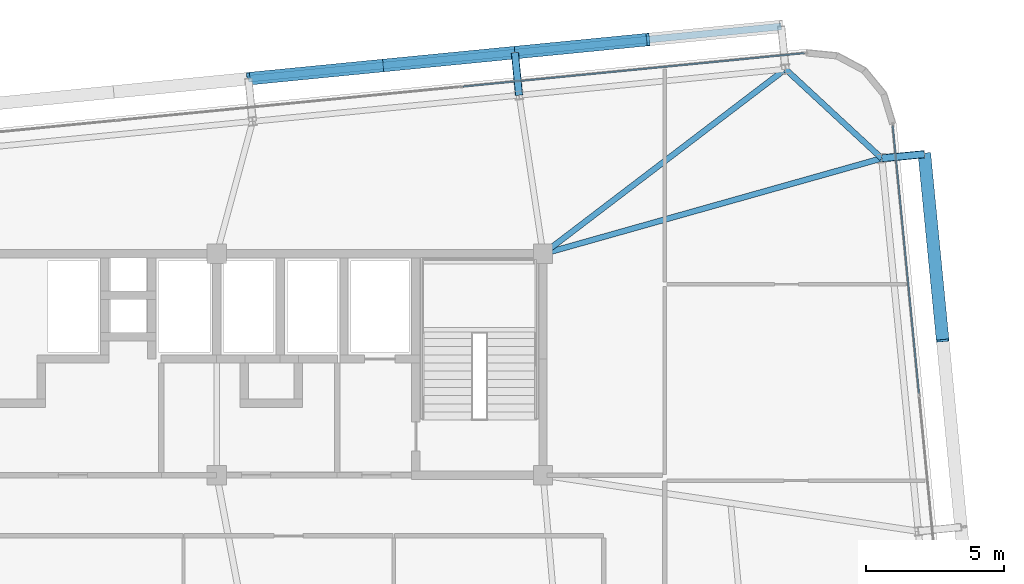
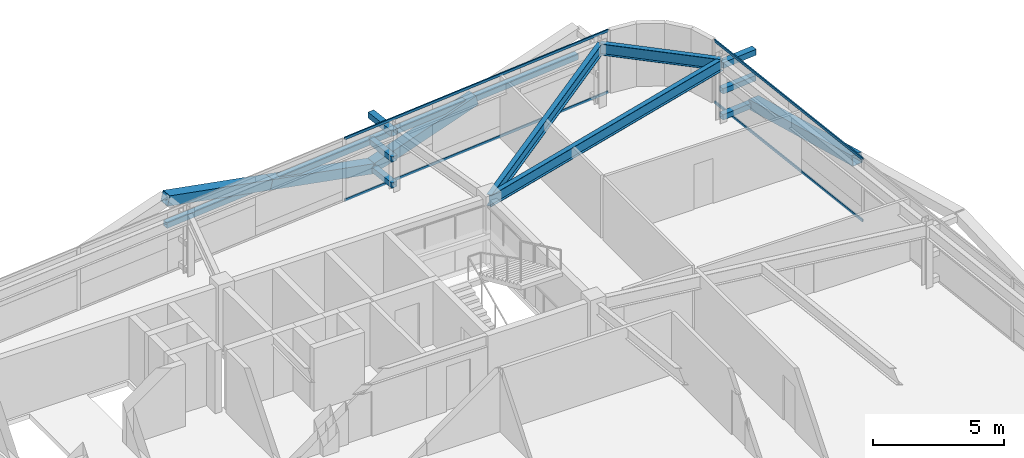
# One storey, part 30 of 47: 16 members, 3 beams, 2 elements without a shape of their own.
"""IFC4 building model written with IfcOpenShell, lengths in metres."""

from ifc_helpers import new_model, si_unit, direction, frame, origin, origin_2d, place, context, subcontext, project, spatial, hollow_rectangle, i_section, extrude, source, transform, mapped, material, layer, layer_set, material_profile, profile_set, type_object, element, aggregate, save


model = new_model("IFC4")

# Units and contexts
model_context = context("Model", 3, precision=1e-05, world=origin(), true_north=direction((0.0, 1.0)))
body_context = subcontext(model_context, "Body", "Model", "MODEL_VIEW")
ifc_project = project(units=[si_unit("LENGTHUNIT", "METRE"), si_unit("AREAUNIT", "SQUARE_METRE"), si_unit("VOLUMEUNIT", "CUBIC_METRE"), si_unit("PLANEANGLEUNIT", "RADIAN"), si_unit("MASSUNIT", "GRAM", prefix="KILO")], contexts=[model_context])

# Site, building, storey
site_placement = place(None, origin())
site = spatial("IfcSite", under=ifc_project, at=site_placement, CompositionType="ELEMENT")
building_placement = place(site_placement, origin())
building = spatial("IfcBuilding", under=site, at=building_placement, Name="Taldren Reach Tower", CompositionType="ELEMENT")
storey_placement = place(building_placement, frame((0.0, 0.0, 106.050048828125)))
storey = spatial("IfcBuildingStorey", under=building, at=storey_placement, Name="L32", CompositionType="ELEMENT", Elevation=106.050048828125)

# Beam
ifc_material_1 = material(Name="Steel Gr 350 (350PLUS)", Category="steel")
ifc_material_profile_1 = material_profile(ifc_material_1, i_section(OverallWidth=0.208984375, OverallDepth=0.528076171875, WebThickness=0.009521484375, FlangeThickness=0.01318359375, at=origin_2d()), Name="530UB82.0")
ifc_profile_set_1 = profile_set([ifc_material_profile_1], Name="Steel Gr 350 (350PLUS)")
beam_type_1 = type_object("IfcBeamType", Name="SP-UB530B", PredefinedType="SPANDREL", material=ifc_profile_set_1)
shared_shape_1 = source(origin(), body_context, "Body", "SweptSolid", [
    extrude(i_section(OverallWidth=0.208984375, OverallDepth=0.528076171875, WebThickness=0.009521484375, FlangeThickness=0.01318359375, at=origin_2d()), origin(), (0.0, 0.0, 1.0), 4.74609375),
])
beam_1_placement = place(storey_placement, frame((63.247314453125, 35.454345703125, 2.666015625), z_axis=(-0.733547883762, 0.679637772809, 0.0), x_axis=(-0.679637772809, -0.733547883762, 0.0)))
element("IfcBeam", 1, at=beam_1_placement, inside=storey, type_object=beam_type_1, Name="Perimeter spandrel B2 E3-N6 L32", PredefinedType="SPANDREL", context=body_context, shape_type="MappedRepresentation", body=[
    mapped(shared_shape_1, transform((0.0, 0.0, 0.0), scale=1.0)),
])

# Members
ifc_material_2 = material(Name="Steel Gr 450 (C450L0)", Category="steel")
ifc_material_profile_2 = material_profile(ifc_material_2, hollow_rectangle(XDim=0.27490234375, YDim=0.27490234375, WallThickness=0.00927734375, at=origin_2d()), Name="275x275x9.3SHS")
ifc_profile_set_2 = profile_set([ifc_material_profile_2], Name="Steel Gr 450 (C450L0)")
member_type_1 = type_object("IfcMemberType", Name="MB-TIE273", PredefinedType="STRUT", material=ifc_profile_set_2)
shared_shape_2 = source(origin(), body_context, "Body", "SweptSolid", [
    extrude(hollow_rectangle(XDim=0.27490234375, YDim=0.27490234375, WallThickness=0.00927734375, at=origin_2d()), origin(), (0.0, 0.0, 1.0), 1.5498046875),
])
for number, where, z_axis, x_axis, name in (
    (2, (50.132080078125, 37.7353515625, 2.64990234375), (-0.097663201064, 0.995219523099, 0.0), (-0.995219523099, -0.097663201064, 0.0), "Exoskeleton diaphragm tie strut B2-N5 L32"),
    (3, (63.247314453125, 35.454345703125, 2.64990234375), (0.995234821595, 0.097507178627, 0.0), (-0.097507178627, 0.995234821595, 0.0), "Exoskeleton diaphragm tie strut B2-E3 L32"),
):
    element("IfcMember", number, at=place(storey_placement, frame(where, z_axis=z_axis, x_axis=x_axis)), inside=storey, type_object=member_type_1, Name=name, PredefinedType="STRUT", context=body_context, shape_type="MappedRepresentation", body=[
        mapped(shared_shape_2, transform((0.0, 0.0, 0.0), scale=1.0)),
    ])
ifc_material_3 = material(Name="Steel Gr 350 (C350L0)", Category="steel")
ifc_material_profile_3 = material_profile(ifc_material_3, hollow_rectangle(XDim=0.25, YDim=0.25, WallThickness=0.010009765625, at=origin_2d()), Name="250x250x10.0SHS")
ifc_profile_set_3 = profile_set([ifc_material_profile_3], Name="Steel Gr 350 (C350L0)")
member_type_2 = type_object("IfcMemberType", Name="MB-POST250", PredefinedType="POST", material=ifc_profile_set_3)
shared_shape_3 = source(origin(), body_context, "Body", "SweptSolid", [
    extrude(hollow_rectangle(XDim=0.25, YDim=0.25, WallThickness=0.010009765625, at=origin_2d()), origin(), (0.0, 0.0, 1.0), 1.5498046875),
])
for number, where, z_axis, x_axis, name in (
    (4, (50.132080078125, 37.7353515625, 0.219970703125), (-0.097663201064, 0.995219523099, 0.0), (-0.995219523099, -0.097663201064, 0.0), "Exoskeleton base diaphragm tie strut B2-N5 L32"),
    (5, (63.247314453125, 35.454345703125, 0.219970703125), (0.995234821595, 0.097507178627, 0.0), (-0.097507178627, 0.995234821595, 0.0), "Exoskeleton base diaphragm tie strut B2-E3 L32"),
    (6, (50.132080078125, 37.7353515625, 1.43505859375), (-0.097663201064, 0.995219523099, 0.0), (-0.995219523099, -0.097663201064, 0.0), "Exoskeleton mid-tier diaphragm tie B2-N5 L32"),
    (7, (63.247314453125, 35.454345703125, 1.43505859375), (0.995234821595, 0.097507178627, 0.0), (-0.097507178627, 0.995234821595, 0.0), "Exoskeleton mid-tier diaphragm tie B2-E3 L32"),
):
    element("IfcMember", number, at=place(storey_placement, frame(where, z_axis=z_axis, x_axis=x_axis)), inside=storey, type_object=member_type_2, Name=name, PredefinedType="POST", context=body_context, shape_type="MappedRepresentation", body=[
        mapped(shared_shape_3, transform((0.0, 0.0, 0.0), scale=1.0)),
    ])

# Beams
ifc_material_profile_4 = material_profile(ifc_material_1, i_section(OverallWidth=0.208984375, OverallDepth=0.532958984375, WebThickness=0.01025390625, FlangeThickness=0.015625, at=origin_2d()), Name="530UB92.4")
ifc_profile_set_4 = profile_set([ifc_material_profile_4], Name="Steel Gr 350 (350PLUS)")
beam_type_2 = type_object("IfcBeamType", Name="BM-UB530A", PredefinedType="BEAM", material=ifc_profile_set_4)
shared_shape_4 = source(origin(), body_context, "Body", "SweptSolid", [
    extrude(i_section(OverallWidth=0.208984375, OverallDepth=0.532958984375, WebThickness=0.01025390625, FlangeThickness=0.015625, at=origin_2d()), origin(), (0.0, 0.0, 1.0), 12.72509765625),
])
beam_2_placement = place(storey_placement, frame((51.0, 32.0, 2.663330078125), z_axis=(0.962450190096, 0.271458342264, 0.0), x_axis=(-0.271458342264, 0.962450190096, 0.0)))
element("IfcBeam", 8, at=beam_2_placement, inside=storey, type_object=beam_type_2, Name="Primary floor girder B2-E3 L32", PredefinedType="BEAM", context=body_context, shape_type="MappedRepresentation", body=[
    mapped(shared_shape_4, transform((0.0, 0.0, 0.0), scale=1.0)),
])
shared_shape_5 = source(origin(), body_context, "Body", "SweptSolid", [
    extrude(i_section(OverallWidth=0.208984375, OverallDepth=0.532958984375, WebThickness=0.01025390625, FlangeThickness=0.015625, at=origin_2d()), origin(), (0.0, 0.0, 1.0), 11.02099609375),
])
beam_3_placement = place(storey_placement, frame((51.0, 32.0, 2.663330078125), z_axis=(0.795380356763, 0.606110623629, 0.0), x_axis=(-0.606110623629, 0.795380356763, 0.0)))
element("IfcBeam", 9, at=beam_3_placement, inside=storey, type_object=beam_type_2, Name="Primary floor girder B2-N6 L32", PredefinedType="BEAM", context=body_context, shape_type="MappedRepresentation", body=[
    mapped(shared_shape_5, transform((0.0, 0.0, 0.0), scale=1.0)),
])

# Members
ifc_material_profile_5 = material_profile(ifc_material_2, hollow_rectangle(XDim=0.4599609375, YDim=0.4599609375, WallThickness=0.01611328125, at=origin_2d()), Name="460x460x16.0SHS")
ifc_profile_set_5 = profile_set([ifc_material_profile_5], Name="Steel Gr 450 (C450L0)")
member_type_3 = type_object("IfcMemberType", Name="MB-EXO457", PredefinedType="BRACE", material=ifc_profile_set_5)
shared_shape_6 = source(origin(), body_context, "Body", "SweptSolid", [
    extrude(hollow_rectangle(XDim=0.4599609375, YDim=0.4599609375, WallThickness=0.01611328125, at=origin_2d()), origin(), (0.0, 0.0, 1.0), 4.990234375),
])
for number, where, z_axis, x_axis, name in (
    (10, (49.980712890625, 39.27783203125, 0.219970703125), (-0.965275526283, -0.094619506732, 0.243496010862), (0.097555749586, -0.995230061706, 0.0), "Exoskeleton Diagrid Brace B2-N4 L32"),
    (11, (45.163818359375, 38.8056640625, 1.43505859375), (-0.965282554799, -0.094669120301, 0.243448859234), (0.097605711627, -0.995225162995, 0.0), "Exoskeleton Diagrid Brace B2-N4 L32"),
    (12, (49.980712890625, 39.27783203125, 0.219970703125), (0.965271056716, 0.094667992638, 0.243494883389), (-0.097605711627, 0.995225162995, 0.0), "Exoskeleton Diagrid Brace B2-N5 L32"),
):
    element("IfcMember", number, at=place(storey_placement, frame(where, z_axis=z_axis, x_axis=x_axis)), inside=storey, type_object=member_type_3, Name=name, PredefinedType="BRACE", context=body_context, shape_type="MappedRepresentation", body=[
        mapped(shared_shape_6, transform((0.0, 0.0, 0.0), scale=1.0)),
    ])
shared_shape_7 = source(origin(), body_context, "Body", "SweptSolid", [
    extrude(hollow_rectangle(XDim=0.25, YDim=0.25, WallThickness=0.010009765625, at=origin_2d()), origin(), (0.0, 0.0, 1.0), 9.679931640625),
])
for number, where, z_axis, x_axis, name in (
    (13, (40.346923828125, 38.333251953125, 1.43505859375), (0.995227612658, 0.097580730699, 0.0), (-0.097580730699, 0.995227612658, 0.0), "Exoskeleton mid-height ring chord B2-N4 L32"),
    (14, (49.980712890625, 39.27783203125, 1.43505859375), (0.995227612658, 0.097580730699, 0.0), (-0.097580730699, 0.995227612658, 0.0), "Exoskeleton mid-height ring chord B2-N5 L32"),
):
    element("IfcMember", number, at=place(storey_placement, frame(where, z_axis=z_axis, x_axis=x_axis)), inside=storey, type_object=member_type_2, Name=name, PredefinedType="POST", context=body_context, shape_type="MappedRepresentation", body=[
        mapped(shared_shape_7, transform((0.0, 0.0, 0.0), scale=1.0)),
    ])
shared_shape_8 = source(origin(), body_context, "Body", "SweptSolid", [
    extrude(hollow_rectangle(XDim=0.4599609375, YDim=0.4599609375, WallThickness=0.01611328125, at=origin_2d()), origin(), (0.0, 0.0, 1.0), 6.883056640625),
])
member_1_placement = place(storey_placement, frame((64.789794921875, 35.60546875, 0.219970703125), z_axis=(0.09605145821, -0.97959718347, 0.176531797456), x_axis=(0.995227290009, 0.097584021339, 0.0)))
element("IfcMember", 15, at=member_1_placement, inside=storey, type_object=member_type_3, Name="Exoskeleton Diagrid Brace B2-E2 L32", PredefinedType="BRACE", context=body_context, shape_type="MappedRepresentation", body=[
    mapped(shared_shape_8, transform((0.0, 0.0, 0.0), scale=1.0)),
])

# Curtain wall, members
ifc_material_4 = material(Name="Aluminium and Low-E Glass Unitised System", Category="aluminium")
ifc_layer = layer(ifc_material_4, 0.159912109375)
ifc_layer_set = layer_set([ifc_layer], Name="Aluminium and Low-E Glass Unitised System")
curtain_wall_type = type_object("IfcCurtainWallType", Name="CW-SYS-3", PredefinedType="NOTDEFINED", material=ifc_layer_set)
curtain_wall_1_placement = place(storey_placement, origin())
curtain_wall_1 = element("IfcCurtainWall", 16, at=curtain_wall_1_placement, inside=storey, type_object=curtain_wall_type, Name="Unitised curtain wall CW-L32-N", PredefinedType="NOTDEFINED")
ifc_material_5 = material(Name="Anodised Aluminium 6063-T6", Category="aluminium")
ifc_material_profile_6 = material_profile(ifc_material_5, hollow_rectangle(XDim=0.054931640625, YDim=0.1201171875, WallThickness=0.0029296875, at=origin_2d()), Name="ALU-120x55x3RHS")
ifc_profile_set_6 = profile_set([ifc_material_profile_6], Name="Anodised Aluminium 6063-T6")
member_type_4 = type_object("IfcMemberType", Name="CW-TRN-135", PredefinedType="USERDEFINED", material=ifc_profile_set_6)
shared_shape_9 = source(origin(), body_context, "Body", "SweptSolid", [
    extrude(hollow_rectangle(XDim=0.054931640625, YDim=0.1201171875, WallThickness=0.0029296875, at=origin_2d()), origin(), (0.0, 0.0, 1.0), 12.402587890625),
])
member_2_placement = place(storey_placement, frame((60.447509765625, 39.25927734375, 0.02734375), z_axis=(-0.995225976096, -0.097597420576, 0.0), x_axis=(0.097597420576, -0.995225976096, 0.0)))
member_2 = element("IfcMember", 17, at=member_2_placement, type_object=member_type_4, Name="CW-3 transom 1.1", ObjectType="TRANSOM", PredefinedType="USERDEFINED", context=body_context, shape_type="MappedRepresentation", body=[
    mapped(shared_shape_9, transform((0.0, 0.0, 0.0), scale=1.0)),
])
member_3_placement = place(storey_placement, frame((60.447509765625, 39.25927734375, 2.90234375), z_axis=(-0.995225976096, -0.097597420576, 0.0), x_axis=(0.097597420576, -0.995225976096, 0.0)))
member_3 = element("IfcMember", 18, at=member_3_placement, type_object=member_type_4, Name="CW-3 transom 1.2", ObjectType="TRANSOM", PredefinedType="USERDEFINED", context=body_context, shape_type="MappedRepresentation", body=[
    mapped(shared_shape_9, transform((0.0, 0.0, 0.0), scale=1.0)),
])
aggregate(curtain_wall_1, [member_2, member_3])

curtain_wall_2_placement = place(storey_placement, origin())
curtain_wall_2 = element("IfcCurtainWall", 19, at=curtain_wall_2_placement, inside=storey, type_object=curtain_wall_type, Name="Unitised curtain wall CW-L32-E", PredefinedType="NOTDEFINED")
shared_shape_10 = source(origin(), body_context, "Body", "SweptSolid", [
    extrude(hollow_rectangle(XDim=0.054931640625, YDim=0.1201171875, WallThickness=0.0029296875, at=origin_2d()), origin(), (0.0, 0.0, 1.0), 9.73583984375),
])
member_4_placement = place(storey_placement, frame((64.593994140625, 26.944091796875, 0.02734375), z_axis=(-0.097571911043, 0.995228477374, 0.0), x_axis=(-0.995228477374, -0.097571911043, 0.0)))
member_4 = element("IfcMember", 20, at=member_4_placement, type_object=member_type_4, Name="CW-3 transom 3.1", ObjectType="TRANSOM", PredefinedType="USERDEFINED", context=body_context, shape_type="MappedRepresentation", body=[
    mapped(shared_shape_10, transform((0.0, 0.0, 0.0), scale=1.0)),
])
member_5_placement = place(storey_placement, frame((64.593994140625, 26.944091796875, 2.90234375), z_axis=(-0.097571911043, 0.995228477374, 0.0), x_axis=(-0.995228477374, -0.097571911043, 0.0)))
member_5 = element("IfcMember", 21, at=member_5_placement, type_object=member_type_4, Name="CW-3 transom 3.2", ObjectType="TRANSOM", PredefinedType="USERDEFINED", context=body_context, shape_type="MappedRepresentation", body=[
    mapped(shared_shape_10, transform((0.0, 0.0, 0.0), scale=1.0)),
])
aggregate(curtain_wall_2, [member_4, member_5])

save(model, "model.ifc")
